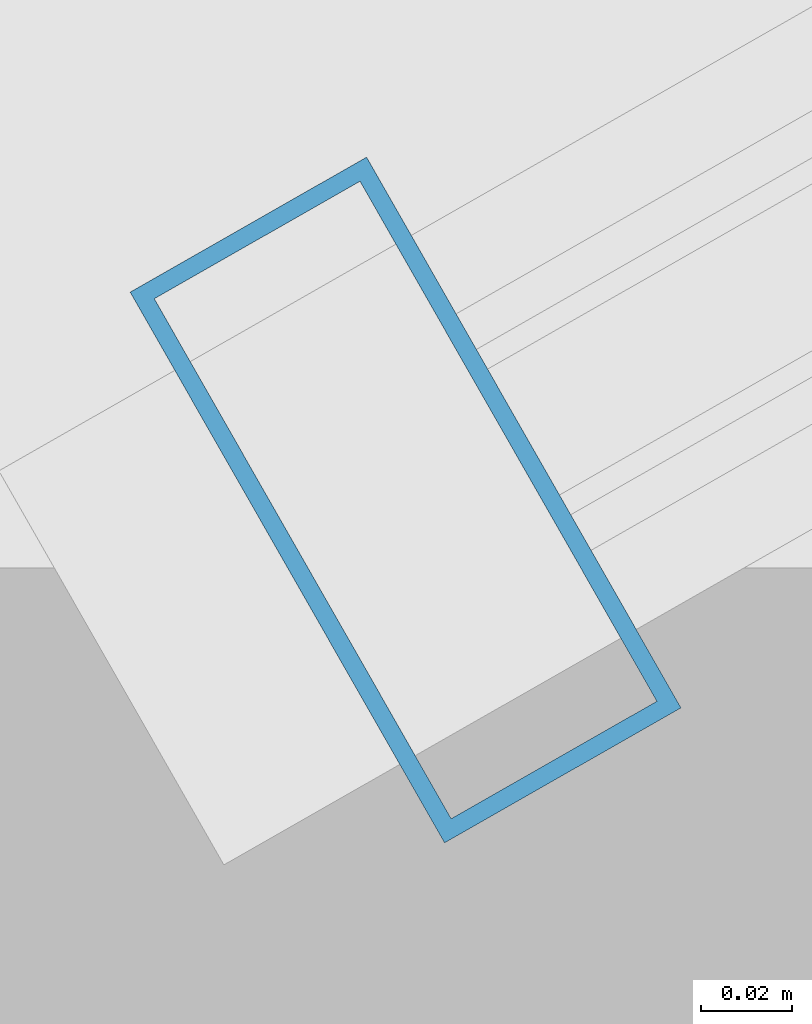
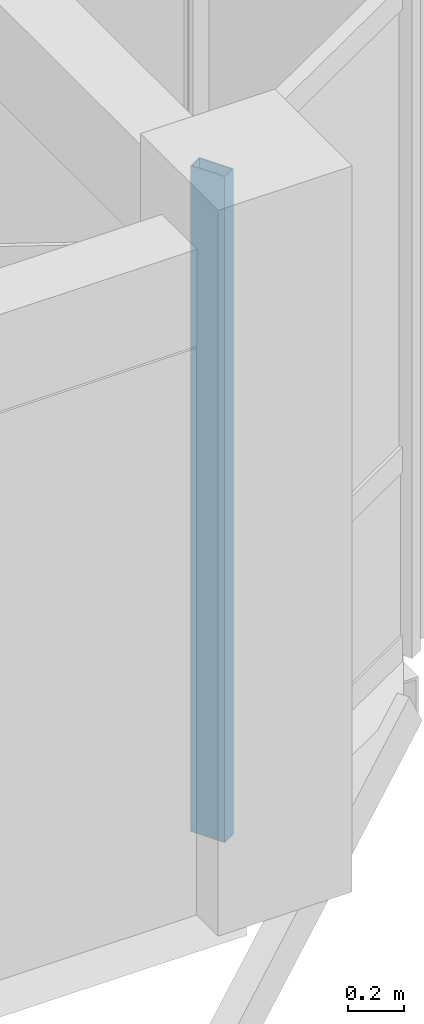
# One storey, part 23 of 77: 1 member, 1 element without a shape of its own.
"""IFC4 building model written with IfcOpenShell, lengths in metres."""

from ifc_helpers import new_model, si_unit, direction, frame, origin, origin_2d, place, context, subcontext, project, spatial, hollow_rectangle, extrude, material, layer, layer_set, material_profile, profile_set, type_object, element, aggregate, save


model = new_model("IFC4")

# Units and contexts
model_context = context("Model", 3, precision=1e-05, world=origin(), true_north=direction((0.0, 1.0)))
body_context = subcontext(model_context, "Body", "Model", "MODEL_VIEW")
ifc_project = project(units=[si_unit("LENGTHUNIT", "METRE"), si_unit("AREAUNIT", "SQUARE_METRE"), si_unit("VOLUMEUNIT", "CUBIC_METRE"), si_unit("PLANEANGLEUNIT", "RADIAN"), si_unit("MASSUNIT", "GRAM", prefix="KILO"), si_unit("THERMODYNAMICTEMPERATUREUNIT", "KELVIN"), si_unit("POWERUNIT", "WATT")], contexts=[model_context])

# Site, building, storey
site_placement = place(None, origin())
site = spatial("IfcSite", under=ifc_project, at=site_placement, CompositionType="ELEMENT")
building_placement = place(site_placement, origin())
building = spatial("IfcBuilding", under=site, at=building_placement, Name="Tavuni Mirador Residences", CompositionType="ELEMENT")
storey_placement = place(building_placement, frame((0.0, 0.0, 10.800048828125)))
storey = spatial("IfcBuildingStorey", under=building, at=storey_placement, Name="L03", CompositionType="ELEMENT", Elevation=10.800048828125)

# Curtain wall, member
ifc_material = material(Name="Anodised aluminium", Category="aluminium")
ifc_layer = layer(ifc_material, 0.175048828125, Name="Anodised aluminium", Category="aluminium")
ifc_layer_set = layer_set([ifc_layer], Name="Anodised aluminium")
curtain_wall_type = type_object("IfcCurtainWallType", Name="CWT-MIR-C", PredefinedType="NOTDEFINED", material=ifc_layer_set)
curtain_wall_placement = place(storey_placement, origin())
curtain_wall = element("IfcCurtainWall", 1, at=curtain_wall_placement, inside=storey, type_object=curtain_wall_type, Name="CW-MIR-D-E1-L03-M1", PredefinedType="NOTDEFINED")
ifc_material_profile = material_profile(ifc_material, hollow_rectangle(XDim=0.06005859375, YDim=0.139892578125, WallThickness=0.00390625, at=origin_2d()), Name="ALU 60x140x4.0", Category="aluminium")
ifc_profile_set = profile_set([ifc_material_profile], Name="Anodised aluminium")
member_type = type_object("IfcMemberType", Name="CWM-140", PredefinedType="MULLION", material=ifc_profile_set)
member_placement = place(storey_placement, frame((118.826171875, 86.68994140625, 0.0), z_axis=(0.0, 0.0, 1.0), x_axis=(0.868465738194, 0.495749192217, 0.0)))
member = element("IfcMember", 2, at=member_placement, type_object=member_type, Name="CW-03 mullion 1", PredefinedType="MULLION", context=body_context, shape_type="SweptSolid", body=[
    extrude(hollow_rectangle(XDim=0.06005859375, YDim=0.139892578125, WallThickness=0.00390625, at=origin_2d()), origin(), (0.0, 0.0, 1.0), 2.889892578125),
])
aggregate(curtain_wall, [member])

save(model, "model.ifc")
